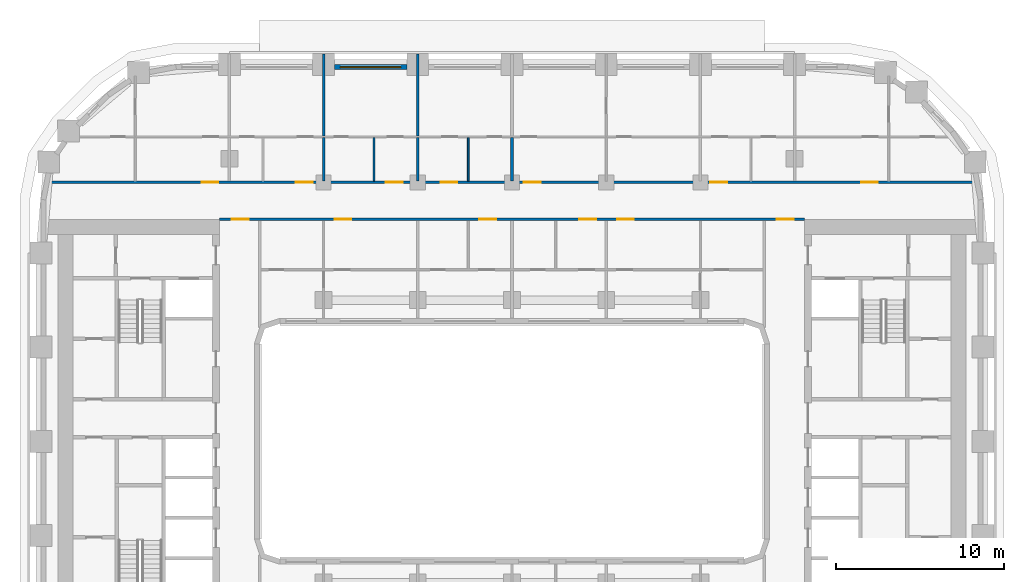
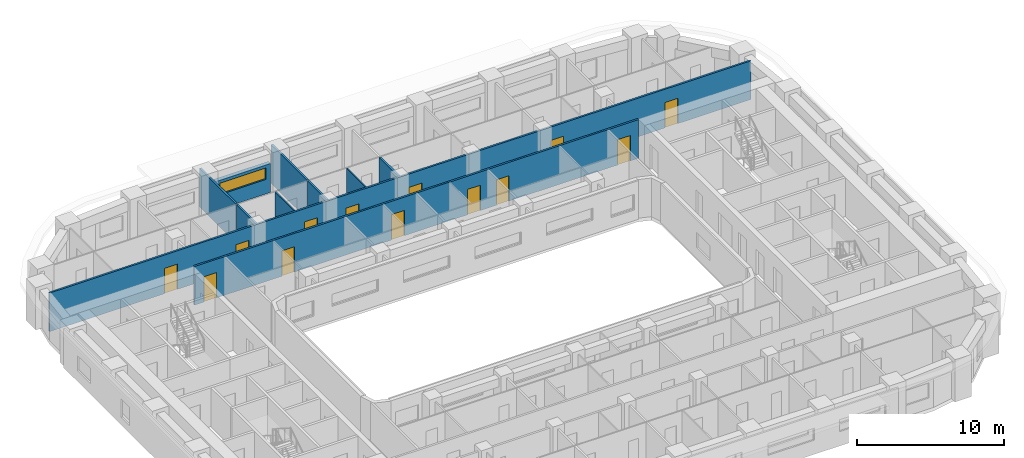
# One storey, part 8 of 21: 13 doors, 10 walls, 1 window, 14 openings.
"""IFC4 building model written with IfcOpenShell, lengths in metres."""

from ifc_helpers import new_model, si_unit, direction, frame, frame_2d, origin, place, context, subcontext, project, spatial, rectangle, extrude, material, layer, layer_set, type_object, element, fill, save


model = new_model("IFC4")

# Units and contexts
model_context = context("Model", 3, precision=1e-05, world=origin(), true_north=direction((0.0, 1.0)))
body_context = subcontext(model_context, "Body", "Model", "MODEL_VIEW")
ifc_project = project(units=[si_unit("LENGTHUNIT", "METRE"), si_unit("AREAUNIT", "SQUARE_METRE"), si_unit("VOLUMEUNIT", "CUBIC_METRE"), si_unit("PLANEANGLEUNIT", "RADIAN"), si_unit("MASSUNIT", "GRAM", prefix="KILO")], contexts=[model_context])

# Site, building, storey
site_placement = place(None, origin())
site = spatial("IfcSite", under=ifc_project, at=site_placement, CompositionType="ELEMENT")
building_placement = place(site_placement, origin())
building = spatial("IfcBuilding", under=site, at=building_placement, Name="Kiln Ring Residences", CompositionType="ELEMENT")
storey_placement = place(building_placement, frame((0.0, 0.0, 93.800048828125)))
storey = spatial("IfcBuildingStorey", under=building, at=storey_placement, Name="L23", CompositionType="ELEMENT", Elevation=93.800048828125)

# Wall, opening, window
ifc_material_1 = material(Name="Brick masonry, dark clay brick", Category="masonry")
ifc_layer_1 = layer(ifc_material_1, 0.300048828125)
ifc_layer_set_1 = layer_set([ifc_layer_1], Name="EW-300 BRICK WALL")
wall_type_1 = type_object("IfcWallType", Name="EW-300 BRICK WALL", PredefinedType="SOLIDWALL", material=ifc_layer_set_1)
wall_1_placement = place(storey_placement, frame((-6.25, 22.25, 0.0), z_axis=(0.0, 0.0, 1.0), x_axis=(-1.0, 0.0, 0.0)))
wall_1 = element("IfcWall", 1, at=wall_1_placement, inside=storey, type_object=wall_type_1, Name="Facade wall L23 33", PredefinedType="SOLIDWALL", context=body_context, shape_type="SweptSolid", body=[
    extrude(rectangle(XDim=4.300048828125, YDim=0.300048828125, at=frame_2d((2.14990234375, 0.0))), origin(), (0.0, 0.0, 1.0), 2.39990234375),
])
opening_1_placement = place(wall_1_placement, frame((0.35009765625, 0.0, 1.199951171875)))
opening_1 = element("IfcOpeningElement", 2, at=opening_1_placement, cuts=wall_1, Name="Opening W4", PredefinedType="OPENING", context=body_context, shape_type="SweptSolid", body=[
    extrude(rectangle(XDim=3.60009765625, YDim=0.949951171875, at=frame_2d((1.800048828125, 0.47509765625))), frame((0.0, 0.159912109375, 0.0), z_axis=(0.0, -1.0, 0.0), x_axis=(1.0, 0.0, 0.0)), (0.0, 0.0, 1.0), 0.320068359375),
])
ifc_material_2 = material(Name="Aluminium frame with double glazing", Category="aluminium")
window_type = type_object("IfcWindowType", Name="WINDOW 3600 x 950", PartitioningType="SINGLE_PANEL", PredefinedType="WINDOW", material=ifc_material_2)
window_placement = place(opening_1_placement, origin())
window = element("IfcWindow", 3, at=window_placement, inside=storey, type_object=window_type, Name="Window L23 18", OverallHeight=0.949951171875, OverallWidth=3.60009765625, PartitioningType="SINGLE_PANEL", PredefinedType="WINDOW", context=body_context, shape_type="SweptSolid", body=[
    extrude(rectangle(XDim=3.60009765625, YDim=0.949951171875, at=frame_2d((1.800048828125, 0.47509765625))), frame((0.0, 0.030029296875, 0.0), z_axis=(0.0, -1.0, 0.0), x_axis=(1.0, 0.0, 0.0)), (0.0, 0.0, 1.0), 0.06005859375),
])
fill(opening_1, window)

# Walls
ifc_material_3 = material(Name="Gypsum board on steel studs", Category="steel")
ifc_layer_2 = layer(ifc_material_3, 0.10009765625)
ifc_layer_set_2 = layer_set([ifc_layer_2], Name="PARTITION-100")
wall_type_2 = type_object("IfcWallType", Name="PARTITION-100", PredefinedType="PARTITIONING", material=ifc_layer_set_2)
for number, where, z_axis, x_axis, name in (
    (4, (-8.199951171875, 15.47509765625, 0.0), (0.0, 0.0, 1.0), (0.0, 1.0, 0.0), "Partition 027"),
    (5, (-2.60009765625, 15.47509765625, 0.0), (0.0, 0.0, 1.0), (0.0, 1.0, 0.0), "Partition 038"),
):
    element("IfcWall", number, at=place(storey_placement, frame(where, z_axis=z_axis, x_axis=x_axis)), inside=storey, type_object=wall_type_2, Name=name, PredefinedType="PARTITIONING", context=body_context, shape_type="SweptSolid", body=[
        extrude(rectangle(XDim=2.574951171875, YDim=0.10009765625, at=frame_2d((1.28759765625, 0.0))), origin(), (0.0, 0.0, 1.0), 3.199951171875),
    ])

# Wall, openings, doors
ifc_material_4 = material(Name="Brick masonry partition", Category="masonry")
ifc_layer_3 = layer(ifc_material_4, 0.14990234375)
ifc_layer_set_3 = layer_set([ifc_layer_3], Name="PARTITION-150-ei60")
wall_type_3 = type_object("IfcWallType", Name="PARTITION-150-ei60", PredefinedType="PARTITIONING", material=ifc_layer_set_3)
wall_2_placement = place(storey_placement, frame((-17.39990234375, 13.199951171875, 0.0), z_axis=(0.0, 0.0, 1.0), x_axis=(1.0, 0.0, 0.0)))
wall_2 = element("IfcWall", 6, at=wall_2_placement, inside=storey, type_object=wall_type_3, Name="Partition 005", PredefinedType="PARTITIONING", context=body_context, shape_type="SweptSolid", body=[
    extrude(rectangle(XDim=34.7998046875, YDim=0.14990234375, at=frame_2d((17.39990234375, 0.0))), origin(), (0.0, 0.0, 1.0), 3.199951171875),
])
opening_2_placement = place(wall_2_placement, frame((0.75, 0.0, 0.0)))
opening_2 = element("IfcOpeningElement", 7, at=opening_2_placement, cuts=wall_2, Name="Opening L23-D001", PredefinedType="OPENING", context=body_context, shape_type="SweptSolid", body=[
    extrude(rectangle(XDim=1.0, YDim=2.10009765625, at=frame_2d((0.5, 1.050048828125))), frame((0.0, 0.0849609375, 0.0), z_axis=(0.0, -1.0, 0.0), x_axis=(1.0, 0.0, 0.0)), (0.0, 0.0, 1.0), 0.169921875),
])
opening_3_placement = place(wall_2_placement, frame((33.14990234375, 0.0, 0.0)))
opening_3 = element("IfcOpeningElement", 8, at=opening_3_placement, cuts=wall_2, Name="Opening L23-D002", PredefinedType="OPENING", context=body_context, shape_type="SweptSolid", body=[
    extrude(rectangle(XDim=1.0, YDim=2.10009765625, at=frame_2d((0.5, 1.050048828125))), frame((0.0, 0.0849609375, 0.0), z_axis=(0.0, -1.0, 0.0), x_axis=(1.0, 0.0, 0.0)), (0.0, 0.0, 1.0), 0.169921875),
])
opening_4_placement = place(wall_2_placement, frame((6.85009765625, 0.0, 0.0)))
opening_4 = element("IfcOpeningElement", 9, at=opening_4_placement, cuts=wall_2, Name="Opening L23-D005", PredefinedType="OPENING", context=body_context, shape_type="SweptSolid", body=[
    extrude(rectangle(XDim=1.0, YDim=2.10009765625, at=frame_2d((0.5, 1.050048828125))), frame((0.0, 0.0849609375, 0.0), z_axis=(0.0, -1.0, 0.0), x_axis=(1.0, 0.0, 0.0)), (0.0, 0.0, 1.0), 0.169921875),
])
opening_5_placement = place(wall_2_placement, frame((15.449951171875, 0.0, 0.0)))
opening_5 = element("IfcOpeningElement", 10, at=opening_5_placement, cuts=wall_2, Name="Opening L23-D009", PredefinedType="OPENING", context=body_context, shape_type="SweptSolid", body=[
    extrude(rectangle(XDim=1.0, YDim=2.10009765625, at=frame_2d((0.5, 1.050048828125))), frame((0.0, 0.0849609375, 0.0), z_axis=(0.0, -1.0, 0.0), x_axis=(1.0, 0.0, 0.0)), (0.0, 0.0, 1.0), 0.169921875),
])
opening_6_placement = place(wall_2_placement, frame((21.39990234375, 0.0, 0.0)))
opening_6 = element("IfcOpeningElement", 11, at=opening_6_placement, cuts=wall_2, Name="Opening L23-D012", PredefinedType="OPENING", context=body_context, shape_type="SweptSolid", body=[
    extrude(rectangle(XDim=1.0, YDim=2.10009765625, at=frame_2d((0.5, 1.050048828125))), frame((0.0, 0.0849609375, 0.0), z_axis=(0.0, -1.0, 0.0), x_axis=(1.0, 0.0, 0.0)), (0.0, 0.0, 1.0), 0.169921875),
])
opening_7_placement = place(wall_2_placement, frame((23.64990234375, 0.0, 0.0)))
opening_7 = element("IfcOpeningElement", 12, at=opening_7_placement, cuts=wall_2, Name="Opening L23-D015", PredefinedType="OPENING", context=body_context, shape_type="SweptSolid", body=[
    extrude(rectangle(XDim=1.0, YDim=2.10009765625, at=frame_2d((0.5, 1.050048828125))), frame((0.0, 0.0849609375, 0.0), z_axis=(0.0, -1.0, 0.0), x_axis=(1.0, 0.0, 0.0)), (0.0, 0.0, 1.0), 0.169921875),
])
ifc_material_5 = material(Name="Steel faced fire door leaf", Category="steel")
door_type = type_object("IfcDoorType", Name="FLAT-DOOR-1000-FR", OperationType="SINGLE_SWING_LEFT", PredefinedType="DOOR", material=ifc_material_5)
door_1_placement = place(opening_2_placement, origin())
door_1 = element("IfcDoor", 13, at=door_1_placement, inside=storey, type_object=door_type, Name="Door L23-D001", OperationType="SINGLE_SWING_RIGHT", OverallHeight=2.10009765625, OverallWidth=1.0, PredefinedType="DOOR", context=body_context, shape_type="SweptSolid", body=[
    extrude(rectangle(XDim=1.0, YDim=2.10009765625, at=frame_2d((0.5, 1.050048828125))), frame((0.0, 0.02490234375, 0.0), z_axis=(0.0, -1.0, 0.0), x_axis=(1.0, 0.0, 0.0)), (0.0, 0.0, 1.0), 0.050048828125),
])
fill(opening_2, door_1)
door_2_placement = place(opening_3_placement, origin())
door_2 = element("IfcDoor", 14, at=door_2_placement, inside=storey, type_object=door_type, Name="Door L23-D002", OperationType="SINGLE_SWING_LEFT", OverallHeight=2.10009765625, OverallWidth=1.0, PredefinedType="DOOR", context=body_context, shape_type="SweptSolid", body=[
    extrude(rectangle(XDim=1.0, YDim=2.10009765625, at=frame_2d((0.5, 1.050048828125))), frame((0.0, 0.02490234375, 0.0), z_axis=(0.0, -1.0, 0.0), x_axis=(1.0, 0.0, 0.0)), (0.0, 0.0, 1.0), 0.050048828125),
])
fill(opening_3, door_2)
door_3_placement = place(opening_4_placement, origin())
door_3 = element("IfcDoor", 15, at=door_3_placement, inside=storey, type_object=door_type, Name="Door L23-D005", OperationType="SINGLE_SWING_LEFT", OverallHeight=2.10009765625, OverallWidth=1.0, PredefinedType="DOOR", context=body_context, shape_type="SweptSolid", body=[
    extrude(rectangle(XDim=1.0, YDim=2.10009765625, at=frame_2d((0.5, 1.050048828125))), frame((0.0, 0.02490234375, 0.0), z_axis=(0.0, -1.0, 0.0), x_axis=(1.0, 0.0, 0.0)), (0.0, 0.0, 1.0), 0.050048828125),
])
fill(opening_4, door_3)
door_4_placement = place(opening_5_placement, origin())
door_4 = element("IfcDoor", 16, at=door_4_placement, inside=storey, type_object=door_type, Name="Door L23-D009", OperationType="SINGLE_SWING_LEFT", OverallHeight=2.10009765625, OverallWidth=1.0, PredefinedType="DOOR", context=body_context, shape_type="SweptSolid", body=[
    extrude(rectangle(XDim=1.0, YDim=2.10009765625, at=frame_2d((0.5, 1.050048828125))), frame((0.0, 0.02490234375, 0.0), z_axis=(0.0, -1.0, 0.0), x_axis=(1.0, 0.0, 0.0)), (0.0, 0.0, 1.0), 0.050048828125),
])
fill(opening_5, door_4)
door_5_placement = place(opening_6_placement, origin())
door_5 = element("IfcDoor", 17, at=door_5_placement, inside=storey, type_object=door_type, Name="Door L23-D012", OperationType="SINGLE_SWING_RIGHT", OverallHeight=2.10009765625, OverallWidth=1.0, PredefinedType="DOOR", context=body_context, shape_type="SweptSolid", body=[
    extrude(rectangle(XDim=1.0, YDim=2.10009765625, at=frame_2d((0.5, 1.050048828125))), frame((0.0, 0.02490234375, 0.0), z_axis=(0.0, -1.0, 0.0), x_axis=(1.0, 0.0, 0.0)), (0.0, 0.0, 1.0), 0.050048828125),
])
fill(opening_6, door_5)
door_6_placement = place(opening_7_placement, origin())
door_6 = element("IfcDoor", 18, at=door_6_placement, inside=storey, type_object=door_type, Name="Door L23-D015", OperationType="SINGLE_SWING_LEFT", OverallHeight=2.10009765625, OverallWidth=1.0, PredefinedType="DOOR", context=body_context, shape_type="SweptSolid", body=[
    extrude(rectangle(XDim=1.0, YDim=2.10009765625, at=frame_2d((0.5, 1.050048828125))), frame((0.0, 0.02490234375, 0.0), z_axis=(0.0, -1.0, 0.0), x_axis=(1.0, 0.0, 0.0)), (0.0, 0.0, 1.0), 0.050048828125),
])
fill(opening_7, door_6)

wall_3_placement = place(storey_placement, frame((-27.48388671875, 15.39990234375, 0.0), z_axis=(0.0, 0.0, 1.0), x_axis=(1.0, 0.0, 0.0)))
wall_3 = element("IfcWall", 19, at=wall_3_placement, inside=storey, type_object=wall_type_3, Name="Partition 006", PredefinedType="PARTITIONING", context=body_context, shape_type="SweptSolid", body=[
    extrude(rectangle(XDim=54.9677734375, YDim=0.14990234375, at=frame_2d((27.48388671875, 0.0))), origin(), (0.0, 0.0, 1.0), 3.199951171875),
])
opening_8_placement = place(wall_3_placement, frame((9.03369140625, 0.0, 0.0)))
opening_8 = element("IfcOpeningElement", 20, at=opening_8_placement, cuts=wall_3, Name="Opening L23-D019", PredefinedType="OPENING", context=body_context, shape_type="SweptSolid", body=[
    extrude(rectangle(XDim=1.0, YDim=2.10009765625, at=frame_2d((0.5, 1.050048828125))), frame((0.0, 0.0849609375, 0.0), z_axis=(0.0, -1.0, 0.0), x_axis=(1.0, 0.0, 0.0)), (0.0, 0.0, 1.0), 0.169921875),
])
opening_9_placement = place(wall_3_placement, frame((14.6337890625, 0.0, 0.0)))
opening_9 = element("IfcOpeningElement", 21, at=opening_9_placement, cuts=wall_3, Name="Opening L23-D023", PredefinedType="OPENING", context=body_context, shape_type="SweptSolid", body=[
    extrude(rectangle(XDim=1.0, YDim=2.10009765625, at=frame_2d((0.5, 1.050048828125))), frame((0.0, 0.0849609375, 0.0), z_axis=(0.0, -1.0, 0.0), x_axis=(1.0, 0.0, 0.0)), (0.0, 0.0, 1.0), 0.169921875),
])
opening_10_placement = place(wall_3_placement, frame((19.98388671875, 0.0, 0.0)))
opening_10 = element("IfcOpeningElement", 22, at=opening_10_placement, cuts=wall_3, Name="Opening L23-D026", PredefinedType="OPENING", context=body_context, shape_type="SweptSolid", body=[
    extrude(rectangle(XDim=1.0, YDim=2.10009765625, at=frame_2d((0.5, 1.050048828125))), frame((0.0, 0.0849609375, 0.0), z_axis=(0.0, -1.0, 0.0), x_axis=(1.0, 0.0, 0.0)), (0.0, 0.0, 1.0), 0.169921875),
])
opening_11_placement = place(wall_3_placement, frame((23.23388671875, 0.0, 0.0)))
opening_11 = element("IfcOpeningElement", 23, at=opening_11_placement, cuts=wall_3, Name="Opening L23-D029", PredefinedType="OPENING", context=body_context, shape_type="SweptSolid", body=[
    extrude(rectangle(XDim=1.0, YDim=2.10009765625, at=frame_2d((0.5, 1.050048828125))), frame((0.0, 0.0849609375, 0.0), z_axis=(0.0, -1.0, 0.0), x_axis=(1.0, 0.0, 0.0)), (0.0, 0.0, 1.0), 0.169921875),
])
opening_12_placement = place(wall_3_placement, frame((28.183837890625, 0.0, 0.0)))
opening_12 = element("IfcOpeningElement", 24, at=opening_12_placement, cuts=wall_3, Name="Opening L23-D032", PredefinedType="OPENING", context=body_context, shape_type="SweptSolid", body=[
    extrude(rectangle(XDim=1.0, YDim=2.10009765625, at=frame_2d((0.5, 1.050048828125))), frame((0.0, 0.0849609375, 0.0), z_axis=(0.0, -1.0, 0.0), x_axis=(1.0, 0.0, 0.0)), (0.0, 0.0, 1.0), 0.169921875),
])
opening_13_placement = place(wall_3_placement, frame((39.28369140625, 0.0, 0.0)))
opening_13 = element("IfcOpeningElement", 25, at=opening_13_placement, cuts=wall_3, Name="Opening L23-D036", PredefinedType="OPENING", context=body_context, shape_type="SweptSolid", body=[
    extrude(rectangle(XDim=1.0, YDim=2.10009765625, at=frame_2d((0.5, 1.050048828125))), frame((0.0, 0.0849609375, 0.0), z_axis=(0.0, -1.0, 0.0), x_axis=(1.0, 0.0, 0.0)), (0.0, 0.0, 1.0), 0.169921875),
])
opening_14_placement = place(wall_3_placement, frame((48.23388671875, 0.0, 0.0)))
opening_14 = element("IfcOpeningElement", 26, at=opening_14_placement, cuts=wall_3, Name="Opening L23-D039", PredefinedType="OPENING", context=body_context, shape_type="SweptSolid", body=[
    extrude(rectangle(XDim=1.0, YDim=2.10009765625, at=frame_2d((0.5, 1.050048828125))), frame((0.0, 0.0849609375, 0.0), z_axis=(0.0, -1.0, 0.0), x_axis=(1.0, 0.0, 0.0)), (0.0, 0.0, 1.0), 0.169921875),
])
door_7_placement = place(opening_8_placement, origin())
door_7 = element("IfcDoor", 27, at=door_7_placement, inside=storey, type_object=door_type, Name="Door L23-D019", OperationType="SINGLE_SWING_LEFT", OverallHeight=2.10009765625, OverallWidth=1.0, PredefinedType="DOOR", context=body_context, shape_type="SweptSolid", body=[
    extrude(rectangle(XDim=1.0, YDim=2.10009765625, at=frame_2d((0.5, 1.050048828125))), frame((0.0, 0.02490234375, 0.0), z_axis=(0.0, -1.0, 0.0), x_axis=(1.0, 0.0, 0.0)), (0.0, 0.0, 1.0), 0.050048828125),
])
fill(opening_8, door_7)
door_8_placement = place(opening_9_placement, origin())
door_8 = element("IfcDoor", 28, at=door_8_placement, inside=storey, type_object=door_type, Name="Door L23-D023", OperationType="SINGLE_SWING_LEFT", OverallHeight=2.10009765625, OverallWidth=1.0, PredefinedType="DOOR", context=body_context, shape_type="SweptSolid", body=[
    extrude(rectangle(XDim=1.0, YDim=2.10009765625, at=frame_2d((0.5, 1.050048828125))), frame((0.0, 0.02490234375, 0.0), z_axis=(0.0, -1.0, 0.0), x_axis=(1.0, 0.0, 0.0)), (0.0, 0.0, 1.0), 0.050048828125),
])
fill(opening_9, door_8)
door_9_placement = place(opening_10_placement, origin())
door_9 = element("IfcDoor", 29, at=door_9_placement, inside=storey, type_object=door_type, Name="Door L23-D026", OperationType="SINGLE_SWING_RIGHT", OverallHeight=2.10009765625, OverallWidth=1.0, PredefinedType="DOOR", context=body_context, shape_type="SweptSolid", body=[
    extrude(rectangle(XDim=1.0, YDim=2.10009765625, at=frame_2d((0.5, 1.050048828125))), frame((0.0, 0.02490234375, 0.0), z_axis=(0.0, -1.0, 0.0), x_axis=(1.0, 0.0, 0.0)), (0.0, 0.0, 1.0), 0.050048828125),
])
fill(opening_10, door_9)
door_10_placement = place(opening_11_placement, origin())
door_10 = element("IfcDoor", 30, at=door_10_placement, inside=storey, type_object=door_type, Name="Door L23-D029", OperationType="SINGLE_SWING_LEFT", OverallHeight=2.10009765625, OverallWidth=1.0, PredefinedType="DOOR", context=body_context, shape_type="SweptSolid", body=[
    extrude(rectangle(XDim=1.0, YDim=2.10009765625, at=frame_2d((0.5, 1.050048828125))), frame((0.0, 0.02490234375, 0.0), z_axis=(0.0, -1.0, 0.0), x_axis=(1.0, 0.0, 0.0)), (0.0, 0.0, 1.0), 0.050048828125),
])
fill(opening_11, door_10)
door_11_placement = place(opening_12_placement, origin())
door_11 = element("IfcDoor", 31, at=door_11_placement, inside=storey, type_object=door_type, Name="Door L23-D032", OperationType="SINGLE_SWING_RIGHT", OverallHeight=2.10009765625, OverallWidth=1.0, PredefinedType="DOOR", context=body_context, shape_type="SweptSolid", body=[
    extrude(rectangle(XDim=1.0, YDim=2.10009765625, at=frame_2d((0.5, 1.050048828125))), frame((0.0, 0.02490234375, 0.0), z_axis=(0.0, -1.0, 0.0), x_axis=(1.0, 0.0, 0.0)), (0.0, 0.0, 1.0), 0.050048828125),
])
fill(opening_12, door_11)
door_12_placement = place(opening_13_placement, origin())
door_12 = element("IfcDoor", 32, at=door_12_placement, inside=storey, type_object=door_type, Name="Door L23-D036", OperationType="SINGLE_SWING_RIGHT", OverallHeight=2.10009765625, OverallWidth=1.0, PredefinedType="DOOR", context=body_context, shape_type="SweptSolid", body=[
    extrude(rectangle(XDim=1.0, YDim=2.10009765625, at=frame_2d((0.5, 1.050048828125))), frame((0.0, 0.02490234375, 0.0), z_axis=(0.0, -1.0, 0.0), x_axis=(1.0, 0.0, 0.0)), (0.0, 0.0, 1.0), 0.050048828125),
])
fill(opening_13, door_12)
door_13_placement = place(opening_14_placement, origin())
door_13 = element("IfcDoor", 33, at=door_13_placement, inside=storey, type_object=door_type, Name="Door L23-D039", OperationType="SINGLE_SWING_LEFT", OverallHeight=2.10009765625, OverallWidth=1.0, PredefinedType="DOOR", context=body_context, shape_type="SweptSolid", body=[
    extrude(rectangle(XDim=1.0, YDim=2.10009765625, at=frame_2d((0.5, 1.050048828125))), frame((0.0, 0.02490234375, 0.0), z_axis=(0.0, -1.0, 0.0), x_axis=(1.0, 0.0, 0.0)), (0.0, 0.0, 1.0), 0.050048828125),
])
fill(opening_14, door_13)

# Walls
wall_4_placement = place(storey_placement, frame((-11.199951171875, 15.47509765625, 0.0), z_axis=(0.0, 0.0, 1.0), x_axis=(0.0, 1.0, 0.0)))
element("IfcWall", 34, at=wall_4_placement, inside=storey, type_object=wall_type_3, Name="Partition 025", PredefinedType="PARTITIONING", context=body_context, shape_type="SweptSolid", body=[
    extrude(rectangle(XDim=2.574951171875, YDim=0.14990234375, at=frame_2d((1.28759765625, 0.0))), origin(), (0.0, 0.0, 1.0), 3.199951171875),
])
wall_5_placement = place(storey_placement, frame((-11.199951171875, 18.14990234375, 0.0), z_axis=(0.0, 0.0, 1.0), x_axis=(0.0, 1.0, 0.0)))
element("IfcWall", 35, at=wall_5_placement, inside=storey, type_object=wall_type_3, Name="Partition 026", PredefinedType="PARTITIONING", context=body_context, shape_type="SweptSolid", body=[
    extrude(rectangle(XDim=4.880126953125, YDim=0.14990234375, at=frame_2d((2.43994140625, 0.0))), origin(), (0.0, 0.0, 1.0), 3.199951171875),
])
wall_6_placement = place(storey_placement, frame((-5.60009765625, 15.47509765625, 0.0), z_axis=(0.0, 0.0, 1.0), x_axis=(0.0, 1.0, 0.0)))
element("IfcWall", 36, at=wall_6_placement, inside=storey, type_object=wall_type_3, Name="Partition 034", PredefinedType="PARTITIONING", context=body_context, shape_type="SweptSolid", body=[
    extrude(rectangle(XDim=2.574951171875, YDim=0.14990234375, at=frame_2d((1.28759765625, 0.0))), origin(), (0.0, 0.0, 1.0), 3.199951171875),
])
wall_7_placement = place(storey_placement, frame((-5.60009765625, 18.14990234375, 0.0), z_axis=(0.0, 0.0, 1.0), x_axis=(0.0, 1.0, 0.0)))
element("IfcWall", 37, at=wall_7_placement, inside=storey, type_object=wall_type_3, Name="Partition 035", PredefinedType="PARTITIONING", context=body_context, shape_type="SweptSolid", body=[
    extrude(rectangle(XDim=4.880126953125, YDim=0.14990234375, at=frame_2d((2.43994140625, 0.0))), origin(), (0.0, 0.0, 1.0), 3.199951171875),
])
wall_8_placement = place(storey_placement, frame((0.0, 15.47509765625, 0.0), z_axis=(0.0, 0.0, 1.0), x_axis=(0.0, 1.0, 0.0)))
element("IfcWall", 38, at=wall_8_placement, inside=storey, type_object=wall_type_3, Name="Partition 046", PredefinedType="PARTITIONING", context=body_context, shape_type="SweptSolid", body=[
    extrude(rectangle(XDim=2.574951171875, YDim=0.14990234375, at=frame_2d((1.28759765625, 0.0))), origin(), (0.0, 0.0, 1.0), 3.199951171875),
])

save(model, "model.ifc")
